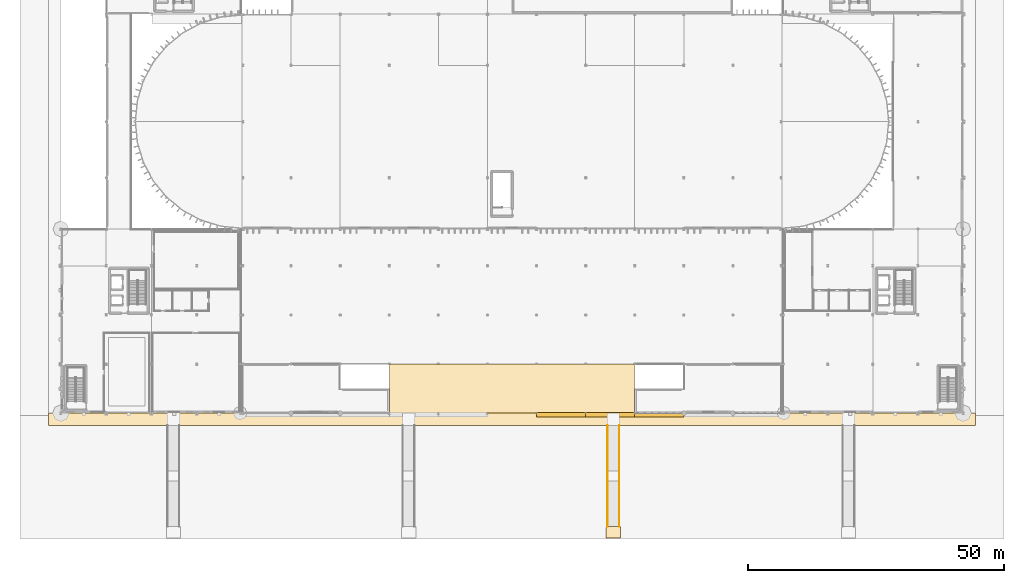
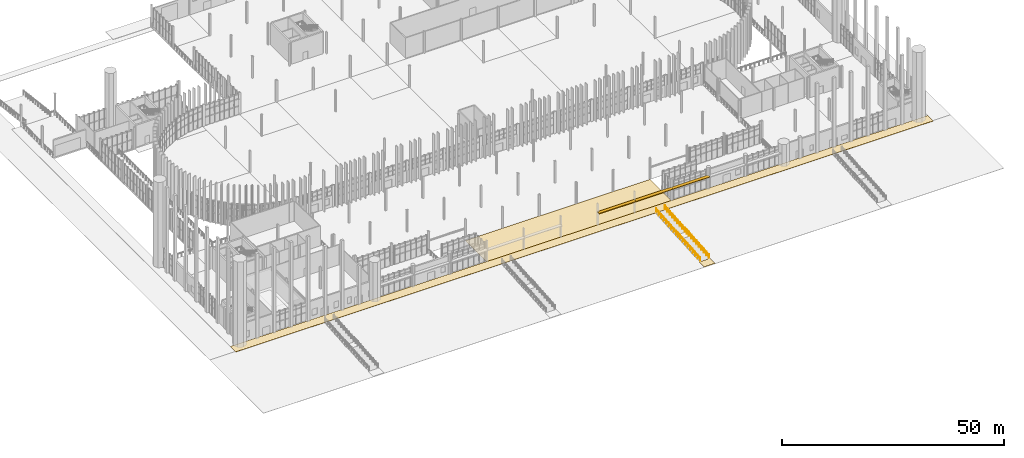
# One storey, part 116 of 139: 4 railings, 3 coverings, 3 shading devices.
"""IFC4 building model written with IfcOpenShell, lengths in metres."""

from ifc_helpers import new_model, si_unit, direction, frame, origin, origin_2d, place, context, subcontext, project, spatial, polyline, rectangle, circle, outline, extrude, material, layer, layer_set, type_object, element, save


model = new_model("IFC4")

# Units and contexts
model_context = context("Model", 3, precision=1e-05, world=origin(), true_north=direction((0.0, 1.0)))
body_context = subcontext(model_context, "Body", "Model", "MODEL_VIEW")
ifc_project = project(units=[si_unit("LENGTHUNIT", "METRE"), si_unit("AREAUNIT", "SQUARE_METRE"), si_unit("VOLUMEUNIT", "CUBIC_METRE"), si_unit("PLANEANGLEUNIT", "RADIAN"), si_unit("MASSUNIT", "GRAM", prefix="KILO")], contexts=[model_context])

# Site, building, storey
site_placement = place(None, origin())
site = spatial("IfcSite", under=ifc_project, at=site_placement, CompositionType="ELEMENT")
building_placement = place(site_placement, origin())
building = spatial("IfcBuilding", under=site, at=building_placement, Name="Yeouljin Market Hall", CompositionType="ELEMENT")
storey_placement = place(building_placement, origin())
storey = spatial("IfcBuildingStorey", under=building, at=storey_placement, Name="L00", CompositionType="ELEMENT", Elevation=0.0)

# Coverings
ifc_material_1 = material(Name="Pocheon Granite Stone", Category="masonry")
ifc_layer = layer(ifc_material_1, 0.050048828125)
ifc_layer_set = layer_set([ifc_layer], Name="Pocheon Granite Stone")
covering_type = type_object("IfcCoveringType", Name="Covering_Granite_PlinthPaving", PredefinedType="FLOORING", material=ifc_layer_set)
covering_1_placement = place(storey_placement, frame((0.0, 0.0, -0.050048828125)))
element("IfcCovering", 1, at=covering_1_placement, inside=storey, type_object=covering_type, Name="Granite plinth exterior apron PAV-SOUTH-SIDEWALK", PredefinedType="FLOORING", context=body_context, shape_type="SweptSolid", body=[
    extrude(outline(polyline([(-2.39990234375, -2.39990234375), (178.800048828125, -2.39990234375), (178.800048828125, 0.050048828125), (-2.39990234375, 0.050048828125), (-2.39990234375, -2.39990234375)])), origin(), (0.0, 0.0, 1.0), 0.050048828125),
])
covering_2_placement = place(storey_placement, frame((0.0, 0.0, -0.050048828125)))
element("IfcCovering", 2, at=covering_2_placement, inside=storey, type_object=covering_type, Name="Granite plinth exterior apron PAV-SOUTH-COURT-GAP", PredefinedType="FLOORING", context=body_context, shape_type="SweptSolid", body=[
    extrude(outline(polyline([(64.199951171875, 0.0), (112.199951171875, 0.0), (112.199951171875, 9.60009765625), (64.199951171875, 9.60009765625), (64.199951171875, 0.0)])), origin(), (0.0, 0.0, 1.0), 0.050048828125),
])
covering_3_placement = place(storey_placement, frame((0.0, 0.0, -1.5400390625)))
element("IfcCovering", 3, at=covering_3_placement, inside=storey, type_object=covering_type, Name="Street sidewalk landing 03", PredefinedType="FLOORING", context=body_context, shape_type="SweptSolid", body=[
    extrude(outline(polyline([(106.60009765625, -24.39990234375), (109.39990234375, -24.39990234375), (109.39990234375, -22.199951171875), (106.60009765625, -22.199951171875), (106.60009765625, -24.39990234375)])), origin(), (0.0, 0.0, 1.0), 0.10009765625),
])

# Railings
ifc_material_2 = material(Name="Brushed Stainless Steel", Category="steel")
railing_type_1 = type_object("IfcRailingType", Name="Railing_RampHandrail_900", PredefinedType="HANDRAIL", material=ifc_material_2)
railing_1_placement = place(storey_placement, frame((106.85009765625, -22.199951171875, -1.43994140625)))
element("IfcRailing", 4, at=railing_1_placement, inside=storey, type_object=railing_type_1, Name="Pedestrian ramp 03 W handrail", PredefinedType="HANDRAIL", context=body_context, shape_type="SweptSolid", body=[
    extrude(circle(Radius=0.02392578125, at=origin_2d()), frame((0.0, 0.0, 0.8759765625), z_axis=(0.0, 0.996815536467, 0.079741998075), x_axis=(-1.0, 0.0, 0.0)), (0.0, 0.0, 1.0), 9.02880859375),
    extrude(circle(Radius=0.02392578125, at=origin_2d()), frame((0.0, 9.0, 1.595703125), z_axis=(0.0, 1.0, 0.0), x_axis=(-1.0, 0.0, 0.0)), (0.0, 0.0, 1.0), 1.800048828125),
    extrude(circle(Radius=0.02392578125, at=origin_2d()), frame((0.0, 10.800048828125, 1.595703125), z_axis=(0.0, 0.996815536467, 0.079741998075), x_axis=(-1.0, 0.0, 0.0)), (0.0, 0.0, 1.0), 9.02880859375),
    extrude(circle(Radius=0.02099609375, at=origin_2d()), origin(), (0.0, 0.0, 1.0), 0.851806640625),
    extrude(circle(Radius=0.02099609375, at=origin_2d()), frame((0.0, 1.125, 0.090087890625)), (0.0, 0.0, 1.0), 0.851806640625),
    extrude(circle(Radius=0.02099609375, at=origin_2d()), frame((0.0, 2.25, 0.179931640625)), (0.0, 0.0, 1.0), 0.851806640625),
    extrude(circle(Radius=0.02099609375, at=origin_2d()), frame((0.0, 3.375, 0.27001953125)), (0.0, 0.0, 1.0), 0.851806640625),
    extrude(circle(Radius=0.02099609375, at=origin_2d()), frame((0.0, 4.5, 0.35986328125)), (0.0, 0.0, 1.0), 0.851806640625),
    extrude(circle(Radius=0.02099609375, at=origin_2d()), frame((0.0, 5.625, 0.449951171875)), (0.0, 0.0, 1.0), 0.851806640625),
    extrude(circle(Radius=0.02099609375, at=origin_2d()), frame((0.0, 6.75, 0.5400390625)), (0.0, 0.0, 1.0), 0.851806640625),
    extrude(circle(Radius=0.02099609375, at=origin_2d()), frame((0.0, 7.875, 0.6298828125)), (0.0, 0.0, 1.0), 0.851806640625),
    extrude(circle(Radius=0.02099609375, at=origin_2d()), frame((0.0, 9.0, 0.719970703125)), (0.0, 0.0, 1.0), 0.851806640625),
    extrude(circle(Radius=0.02099609375, at=origin_2d()), frame((0.0, 9.89990234375, 0.719970703125)), (0.0, 0.0, 1.0), 0.851806640625),
    extrude(circle(Radius=0.02099609375, at=origin_2d()), frame((0.0, 10.800048828125, 0.719970703125)), (0.0, 0.0, 1.0), 0.851806640625),
    extrude(circle(Radius=0.02099609375, at=origin_2d()), frame((0.0, 11.925048828125, 0.81005859375)), (0.0, 0.0, 1.0), 0.851806640625),
    extrude(circle(Radius=0.02099609375, at=origin_2d()), frame((0.0, 13.050048828125, 0.89990234375)), (0.0, 0.0, 1.0), 0.851806640625),
    extrude(circle(Radius=0.02099609375, at=origin_2d()), frame((0.0, 14.175048828125, 0.989990234375)), (0.0, 0.0, 1.0), 0.851806640625),
    extrude(circle(Radius=0.02099609375, at=origin_2d()), frame((0.0, 15.300048828125, 1.080078125)), (0.0, 0.0, 1.0), 0.851806640625),
    extrude(circle(Radius=0.02099609375, at=origin_2d()), frame((0.0, 16.425048828125, 1.169921875)), (0.0, 0.0, 1.0), 0.851806640625),
    extrude(circle(Radius=0.02099609375, at=origin_2d()), frame((0.0, 17.550048828125, 1.260009765625)), (0.0, 0.0, 1.0), 0.851806640625),
    extrude(circle(Radius=0.02099609375, at=origin_2d()), frame((0.0, 18.675048828125, 1.349853515625)), (0.0, 0.0, 1.0), 0.851806640625),
    extrude(circle(Radius=0.02099609375, at=origin_2d()), frame((0.0, 19.800048828125, 1.43994140625)), (0.0, 0.0, 1.0), 0.851806640625),
])
railing_2_placement = place(storey_placement, frame((109.14990234375, -22.199951171875, -1.43994140625)))
element("IfcRailing", 5, at=railing_2_placement, inside=storey, type_object=railing_type_1, Name="Pedestrian ramp 03 E handrail", PredefinedType="HANDRAIL", context=body_context, shape_type="SweptSolid", body=[
    extrude(circle(Radius=0.02392578125, at=origin_2d()), frame((0.0, 0.0, 0.8759765625), z_axis=(0.0, 0.996815536467, 0.079741998075), x_axis=(-1.0, 0.0, 0.0)), (0.0, 0.0, 1.0), 9.02880859375),
    extrude(circle(Radius=0.02392578125, at=origin_2d()), frame((0.0, 9.0, 1.595703125), z_axis=(0.0, 1.0, 0.0), x_axis=(-1.0, 0.0, 0.0)), (0.0, 0.0, 1.0), 1.800048828125),
    extrude(circle(Radius=0.02392578125, at=origin_2d()), frame((0.0, 10.800048828125, 1.595703125), z_axis=(0.0, 0.996815536467, 0.079741998075), x_axis=(-1.0, 0.0, 0.0)), (0.0, 0.0, 1.0), 9.02880859375),
    extrude(circle(Radius=0.02099609375, at=origin_2d()), origin(), (0.0, 0.0, 1.0), 0.851806640625),
    extrude(circle(Radius=0.02099609375, at=origin_2d()), frame((0.0, 1.125, 0.090087890625)), (0.0, 0.0, 1.0), 0.851806640625),
    extrude(circle(Radius=0.02099609375, at=origin_2d()), frame((0.0, 2.25, 0.179931640625)), (0.0, 0.0, 1.0), 0.851806640625),
    extrude(circle(Radius=0.02099609375, at=origin_2d()), frame((0.0, 3.375, 0.27001953125)), (0.0, 0.0, 1.0), 0.851806640625),
    extrude(circle(Radius=0.02099609375, at=origin_2d()), frame((0.0, 4.5, 0.35986328125)), (0.0, 0.0, 1.0), 0.851806640625),
    extrude(circle(Radius=0.02099609375, at=origin_2d()), frame((0.0, 5.625, 0.449951171875)), (0.0, 0.0, 1.0), 0.851806640625),
    extrude(circle(Radius=0.02099609375, at=origin_2d()), frame((0.0, 6.75, 0.5400390625)), (0.0, 0.0, 1.0), 0.851806640625),
    extrude(circle(Radius=0.02099609375, at=origin_2d()), frame((0.0, 7.875, 0.6298828125)), (0.0, 0.0, 1.0), 0.851806640625),
    extrude(circle(Radius=0.02099609375, at=origin_2d()), frame((0.0, 9.0, 0.719970703125)), (0.0, 0.0, 1.0), 0.851806640625),
    extrude(circle(Radius=0.02099609375, at=origin_2d()), frame((0.0, 9.89990234375, 0.719970703125)), (0.0, 0.0, 1.0), 0.851806640625),
    extrude(circle(Radius=0.02099609375, at=origin_2d()), frame((0.0, 10.800048828125, 0.719970703125)), (0.0, 0.0, 1.0), 0.851806640625),
    extrude(circle(Radius=0.02099609375, at=origin_2d()), frame((0.0, 11.925048828125, 0.81005859375)), (0.0, 0.0, 1.0), 0.851806640625),
    extrude(circle(Radius=0.02099609375, at=origin_2d()), frame((0.0, 13.050048828125, 0.89990234375)), (0.0, 0.0, 1.0), 0.851806640625),
    extrude(circle(Radius=0.02099609375, at=origin_2d()), frame((0.0, 14.175048828125, 0.989990234375)), (0.0, 0.0, 1.0), 0.851806640625),
    extrude(circle(Radius=0.02099609375, at=origin_2d()), frame((0.0, 15.300048828125, 1.080078125)), (0.0, 0.0, 1.0), 0.851806640625),
    extrude(circle(Radius=0.02099609375, at=origin_2d()), frame((0.0, 16.425048828125, 1.169921875)), (0.0, 0.0, 1.0), 0.851806640625),
    extrude(circle(Radius=0.02099609375, at=origin_2d()), frame((0.0, 17.550048828125, 1.260009765625)), (0.0, 0.0, 1.0), 0.851806640625),
    extrude(circle(Radius=0.02099609375, at=origin_2d()), frame((0.0, 18.675048828125, 1.349853515625)), (0.0, 0.0, 1.0), 0.851806640625),
    extrude(circle(Radius=0.02099609375, at=origin_2d()), frame((0.0, 19.800048828125, 1.43994140625)), (0.0, 0.0, 1.0), 0.851806640625),
])
ifc_material_3 = material(Name="Architectural Bronze Balustrade")
railing_type_2 = type_object("IfcRailingType", Name="Railing_TerraceGuard_1200", PredefinedType="GUARDRAIL", material=ifc_material_3)
railing_3_placement = place(storey_placement, frame((106.85009765625, -22.199951171875, -1.43994140625)))
element("IfcRailing", 6, at=railing_3_placement, inside=storey, type_object=railing_type_2, Name="Pedestrian ramp 03 W guardrail", PredefinedType="GUARDRAIL", context=body_context, shape_type="SweptSolid", body=[
    extrude(circle(Radius=0.02392578125, at=origin_2d()), frame((0.0, 0.0, 1.17578125), z_axis=(0.0, 0.996815536467, 0.079741998075), x_axis=(-1.0, 0.0, 0.0)), (0.0, 0.0, 1.0), 9.02880859375),
    extrude(circle(Radius=0.02392578125, at=origin_2d()), frame((0.0, 9.0, 1.89599609375), z_axis=(0.0, 1.0, 0.0), x_axis=(-1.0, 0.0, 0.0)), (0.0, 0.0, 1.0), 1.800048828125),
    extrude(circle(Radius=0.02392578125, at=origin_2d()), frame((0.0, 10.800048828125, 1.89599609375), z_axis=(0.0, 0.996815536467, 0.079741998075), x_axis=(-1.0, 0.0, 0.0)), (0.0, 0.0, 1.0), 9.02880859375),
    extrude(circle(Radius=0.02099609375, at=origin_2d()), origin(), (0.0, 0.0, 1.0), 1.15185546875),
    extrude(circle(Radius=0.02099609375, at=origin_2d()), frame((0.0, 1.125, 0.090087890625)), (0.0, 0.0, 1.0), 1.15185546875),
    extrude(circle(Radius=0.02099609375, at=origin_2d()), frame((0.0, 2.25, 0.179931640625)), (0.0, 0.0, 1.0), 1.15185546875),
    extrude(circle(Radius=0.02099609375, at=origin_2d()), frame((0.0, 3.375, 0.27001953125)), (0.0, 0.0, 1.0), 1.15185546875),
    extrude(circle(Radius=0.02099609375, at=origin_2d()), frame((0.0, 4.5, 0.35986328125)), (0.0, 0.0, 1.0), 1.15185546875),
    extrude(circle(Radius=0.02099609375, at=origin_2d()), frame((0.0, 5.625, 0.449951171875)), (0.0, 0.0, 1.0), 1.15185546875),
    extrude(circle(Radius=0.02099609375, at=origin_2d()), frame((0.0, 6.75, 0.5400390625)), (0.0, 0.0, 1.0), 1.15185546875),
    extrude(circle(Radius=0.02099609375, at=origin_2d()), frame((0.0, 7.875, 0.6298828125)), (0.0, 0.0, 1.0), 1.15185546875),
    extrude(circle(Radius=0.02099609375, at=origin_2d()), frame((0.0, 9.0, 0.719970703125)), (0.0, 0.0, 1.0), 1.15185546875),
    extrude(circle(Radius=0.02099609375, at=origin_2d()), frame((0.0, 9.89990234375, 0.719970703125)), (0.0, 0.0, 1.0), 1.15185546875),
    extrude(circle(Radius=0.02099609375, at=origin_2d()), frame((0.0, 10.800048828125, 0.719970703125)), (0.0, 0.0, 1.0), 1.15185546875),
    extrude(circle(Radius=0.02099609375, at=origin_2d()), frame((0.0, 11.925048828125, 0.81005859375)), (0.0, 0.0, 1.0), 1.15185546875),
    extrude(circle(Radius=0.02099609375, at=origin_2d()), frame((0.0, 13.050048828125, 0.89990234375)), (0.0, 0.0, 1.0), 1.15185546875),
    extrude(circle(Radius=0.02099609375, at=origin_2d()), frame((0.0, 14.175048828125, 0.989990234375)), (0.0, 0.0, 1.0), 1.15185546875),
    extrude(circle(Radius=0.02099609375, at=origin_2d()), frame((0.0, 15.300048828125, 1.080078125)), (0.0, 0.0, 1.0), 1.15185546875),
    extrude(circle(Radius=0.02099609375, at=origin_2d()), frame((0.0, 16.425048828125, 1.169921875)), (0.0, 0.0, 1.0), 1.15185546875),
    extrude(circle(Radius=0.02099609375, at=origin_2d()), frame((0.0, 17.550048828125, 1.260009765625)), (0.0, 0.0, 1.0), 1.15185546875),
    extrude(circle(Radius=0.02099609375, at=origin_2d()), frame((0.0, 18.675048828125, 1.349853515625)), (0.0, 0.0, 1.0), 1.15185546875),
    extrude(circle(Radius=0.02099609375, at=origin_2d()), frame((0.0, 19.800048828125, 1.43994140625)), (0.0, 0.0, 1.0), 1.15185546875),
])
railing_4_placement = place(storey_placement, frame((109.14990234375, -22.199951171875, -1.43994140625)))
element("IfcRailing", 7, at=railing_4_placement, inside=storey, type_object=railing_type_2, Name="Pedestrian ramp 03 E guardrail", PredefinedType="GUARDRAIL", context=body_context, shape_type="SweptSolid", body=[
    extrude(circle(Radius=0.02392578125, at=origin_2d()), frame((0.0, 0.0, 1.17578125), z_axis=(0.0, 0.996815536467, 0.079741998075), x_axis=(-1.0, 0.0, 0.0)), (0.0, 0.0, 1.0), 9.02880859375),
    extrude(circle(Radius=0.02392578125, at=origin_2d()), frame((0.0, 9.0, 1.89599609375), z_axis=(0.0, 1.0, 0.0), x_axis=(-1.0, 0.0, 0.0)), (0.0, 0.0, 1.0), 1.800048828125),
    extrude(circle(Radius=0.02392578125, at=origin_2d()), frame((0.0, 10.800048828125, 1.89599609375), z_axis=(0.0, 0.996815536467, 0.079741998075), x_axis=(-1.0, 0.0, 0.0)), (0.0, 0.0, 1.0), 9.02880859375),
    extrude(circle(Radius=0.02099609375, at=origin_2d()), origin(), (0.0, 0.0, 1.0), 1.15185546875),
    extrude(circle(Radius=0.02099609375, at=origin_2d()), frame((0.0, 1.125, 0.090087890625)), (0.0, 0.0, 1.0), 1.15185546875),
    extrude(circle(Radius=0.02099609375, at=origin_2d()), frame((0.0, 2.25, 0.179931640625)), (0.0, 0.0, 1.0), 1.15185546875),
    extrude(circle(Radius=0.02099609375, at=origin_2d()), frame((0.0, 3.375, 0.27001953125)), (0.0, 0.0, 1.0), 1.15185546875),
    extrude(circle(Radius=0.02099609375, at=origin_2d()), frame((0.0, 4.5, 0.35986328125)), (0.0, 0.0, 1.0), 1.15185546875),
    extrude(circle(Radius=0.02099609375, at=origin_2d()), frame((0.0, 5.625, 0.449951171875)), (0.0, 0.0, 1.0), 1.15185546875),
    extrude(circle(Radius=0.02099609375, at=origin_2d()), frame((0.0, 6.75, 0.5400390625)), (0.0, 0.0, 1.0), 1.15185546875),
    extrude(circle(Radius=0.02099609375, at=origin_2d()), frame((0.0, 7.875, 0.6298828125)), (0.0, 0.0, 1.0), 1.15185546875),
    extrude(circle(Radius=0.02099609375, at=origin_2d()), frame((0.0, 9.0, 0.719970703125)), (0.0, 0.0, 1.0), 1.15185546875),
    extrude(circle(Radius=0.02099609375, at=origin_2d()), frame((0.0, 9.89990234375, 0.719970703125)), (0.0, 0.0, 1.0), 1.15185546875),
    extrude(circle(Radius=0.02099609375, at=origin_2d()), frame((0.0, 10.800048828125, 0.719970703125)), (0.0, 0.0, 1.0), 1.15185546875),
    extrude(circle(Radius=0.02099609375, at=origin_2d()), frame((0.0, 11.925048828125, 0.81005859375)), (0.0, 0.0, 1.0), 1.15185546875),
    extrude(circle(Radius=0.02099609375, at=origin_2d()), frame((0.0, 13.050048828125, 0.89990234375)), (0.0, 0.0, 1.0), 1.15185546875),
    extrude(circle(Radius=0.02099609375, at=origin_2d()), frame((0.0, 14.175048828125, 0.989990234375)), (0.0, 0.0, 1.0), 1.15185546875),
    extrude(circle(Radius=0.02099609375, at=origin_2d()), frame((0.0, 15.300048828125, 1.080078125)), (0.0, 0.0, 1.0), 1.15185546875),
    extrude(circle(Radius=0.02099609375, at=origin_2d()), frame((0.0, 16.425048828125, 1.169921875)), (0.0, 0.0, 1.0), 1.15185546875),
    extrude(circle(Radius=0.02099609375, at=origin_2d()), frame((0.0, 17.550048828125, 1.260009765625)), (0.0, 0.0, 1.0), 1.15185546875),
    extrude(circle(Radius=0.02099609375, at=origin_2d()), frame((0.0, 18.675048828125, 1.349853515625)), (0.0, 0.0, 1.0), 1.15185546875),
    extrude(circle(Radius=0.02099609375, at=origin_2d()), frame((0.0, 19.800048828125, 1.43994140625)), (0.0, 0.0, 1.0), 1.15185546875),
])

# Shading devices
ifc_material_4 = material(Name="Bronze Brise-Soleil Louvre")
shading_device_type = type_object("IfcShadingDeviceType", Name="SolarFin_ClinkerBronze_880", PredefinedType="JALOUSIE", material=ifc_material_4)
for number, where, z_axis, x_axis, name in (
    (8, (97.800048828125, -0.320068359375, 3.47998046875), (0.0, 0.0, 1.0), (1.0, 0.0, 0.0), "Boulevard entrance brise-soleil louvre 06"),
    (9, (107.39990234375, -0.320068359375, 3.47998046875), (0.0, 0.0, 1.0), (1.0, 0.0, 0.0), "Boulevard entrance brise-soleil louvre 07"),
    (10, (117.0, -0.320068359375, 3.47998046875), (0.0, 0.0, 1.0), (1.0, 0.0, 0.0), "Boulevard entrance brise-soleil louvre 08"),
):
    element("IfcShadingDevice", number, at=place(storey_placement, frame(where, z_axis=z_axis, x_axis=x_axis)), inside=storey, type_object=shading_device_type, Name=name, PredefinedType="JALOUSIE", context=body_context, shape_type="SweptSolid", body=[
        extrude(rectangle(XDim=9.60009765625, YDim=0.8798828125, at=origin_2d()), origin(), (0.0, 0.0, 1.0), 0.139892578125),
    ])

save(model, "model.ifc")
